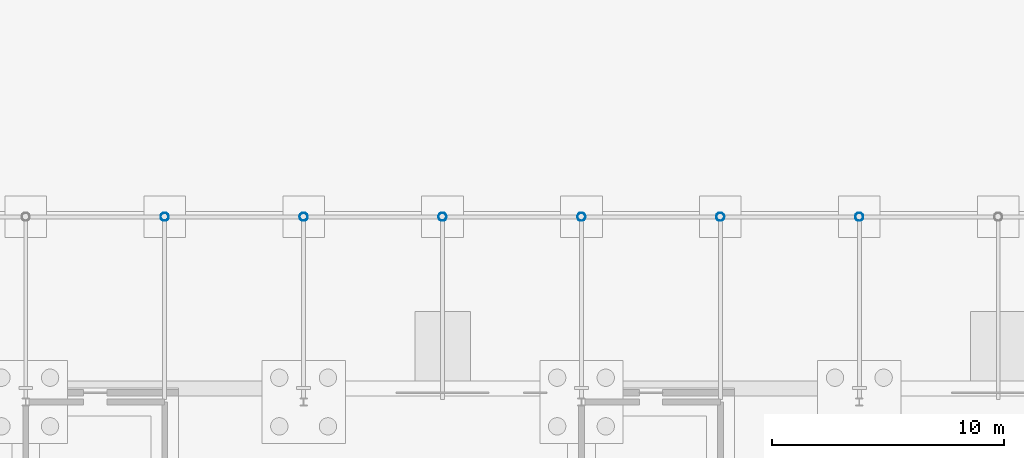
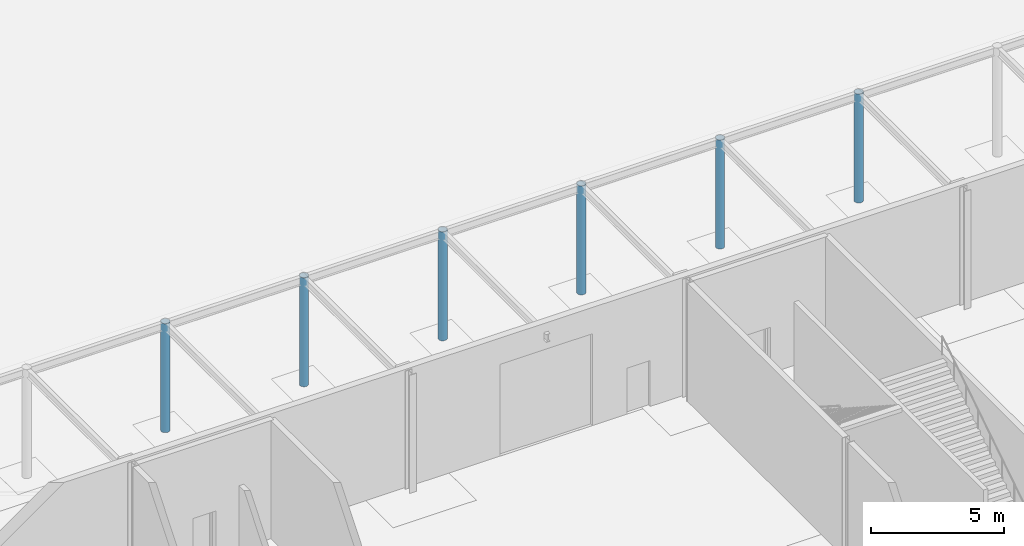
# One storey, part 22 of 132: 6 columns.
"""IFC4 building model written with IfcOpenShell, lengths in metres."""

from ifc_helpers import new_model, si_unit, direction, frame, origin, origin_2d, place, context, subcontext, project, spatial, hollow_circle, extrude, material, material_profile, profile_set, type_object, element, save


model = new_model("IFC4")

# Units and contexts
model_context = context("Model", 3, precision=1e-05, world=origin(), true_north=direction((0.0, 1.0)))
body_context = subcontext(model_context, "Body", "Model", "MODEL_VIEW")
ifc_project = project(units=[si_unit("LENGTHUNIT", "METRE"), si_unit("AREAUNIT", "SQUARE_METRE"), si_unit("VOLUMEUNIT", "CUBIC_METRE"), si_unit("PLANEANGLEUNIT", "RADIAN"), si_unit("MASSUNIT", "GRAM", prefix="KILO")], contexts=[model_context])

# Site, building, storey
site_placement = place(None, origin())
site = spatial("IfcSite", under=ifc_project, at=site_placement, CompositionType="ELEMENT")
building_placement = place(site_placement, origin())
building = spatial("IfcBuilding", under=site, at=building_placement, Name="Ravi Spectrum Wholesale Market", CompositionType="ELEMENT")
storey_placement = place(building_placement, origin())
storey = spatial("IfcBuildingStorey", under=building, at=storey_placement, Name="L00", CompositionType="ELEMENT", Elevation=0.0)

# Columns
ifc_material = material(Name="Steel S355", Category="steel")
ifc_material_profile = material_profile(ifc_material, hollow_circle(Radius=0.177734375, WallThickness=0.012451171875, at=origin_2d()))
ifc_profile_set = profile_set([ifc_material_profile], Name="Steel S355")
column_type = type_object("IfcColumnType", Name="CHS 355.6x12.5 column", PredefinedType="COLUMN", material=ifc_profile_set)
for number, where, z_axis, x_axis, name in (
    (1, (228.0, 74.0, 0.0), (0.0, 0.0, 1.0), (1.0, 0.0, 0.0), "CS-COL-L00-046"),
    (2, (234.0, 74.0, 0.0), (0.0, 0.0, 1.0), (1.0, 0.0, 0.0), "CS-COL-L00-047"),
    (3, (240.0, 74.0, 0.0), (0.0, 0.0, 1.0), (1.0, 0.0, 0.0), "CS-COL-L00-048"),
    (4, (246.0, 74.0, 0.0), (0.0, 0.0, 1.0), (1.0, 0.0, 0.0), "CS-COL-L00-049"),
    (5, (252.0, 74.0, 0.0), (0.0, 0.0, 1.0), (1.0, 0.0, 0.0), "CS-COL-L00-050"),
    (6, (258.0, 74.0, 0.0), (0.0, 0.0, 1.0), (1.0, 0.0, 0.0), "CS-COL-L00-051"),
):
    element("IfcColumn", number, at=place(storey_placement, frame(where, z_axis=z_axis, x_axis=x_axis)), inside=storey, type_object=column_type, Name=name, PredefinedType="COLUMN", context=body_context, shape_type="SweptSolid", body=[
        extrude(hollow_circle(Radius=0.177734375, WallThickness=0.012451171875, at=origin_2d()), origin(), (0.0, 0.0, 1.0), 4.97998046875),
    ])

save(model, "model.ifc")
